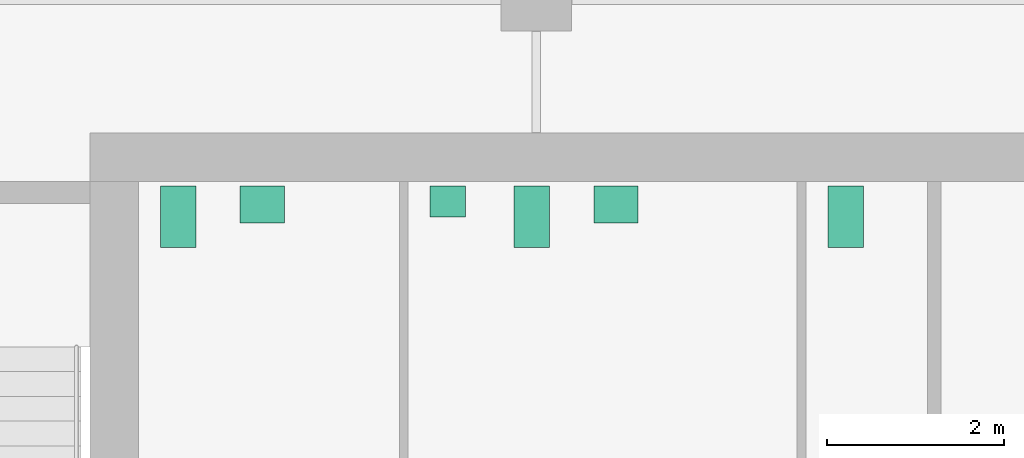
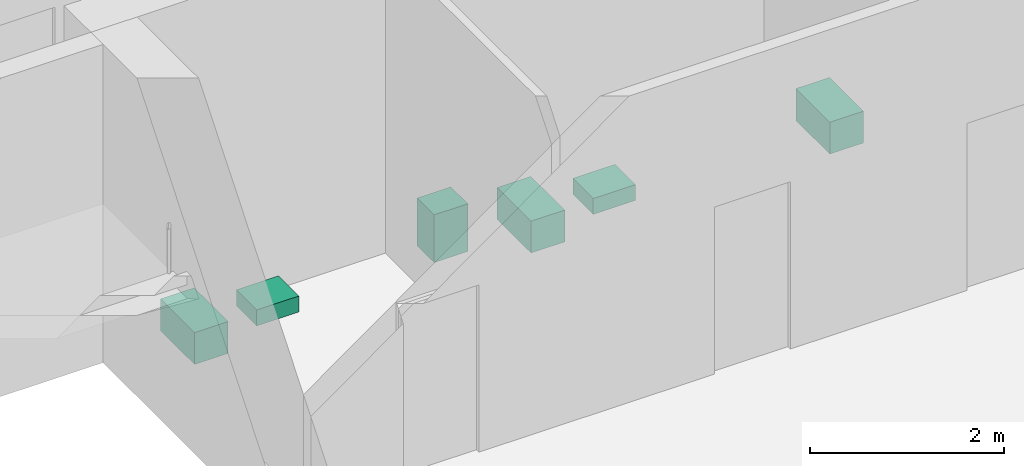
# One storey, part 8 of 8: 6 sanitary terminals.
"""IFC4 building model written with IfcOpenShell, lengths in metres."""

from ifc_helpers import new_model, si_unit, direction, frame, origin, origin_2d, place, context, subcontext, project, spatial, rectangle, extrude, material, type_object, element, save


model = new_model("IFC4")

# Units and contexts
model_context = context("Model", 3, precision=1e-05, world=origin(), true_north=direction((0.0, 1.0)))
body_context = subcontext(model_context, "Body", "Model", "MODEL_VIEW")
ifc_project = project(units=[si_unit("LENGTHUNIT", "METRE"), si_unit("AREAUNIT", "SQUARE_METRE"), si_unit("VOLUMEUNIT", "CUBIC_METRE"), si_unit("PLANEANGLEUNIT", "RADIAN"), si_unit("MASSUNIT", "GRAM", prefix="KILO")], contexts=[model_context])

# Site, building, storey
site_placement = place(None, origin())
site = spatial("IfcSite", under=ifc_project, at=site_placement, CompositionType="ELEMENT")
building_placement = place(site_placement, origin())
building = spatial("IfcBuilding", under=site, at=building_placement, Name="Cinnabar Reach Civic Tower", CompositionType="ELEMENT")
storey_placement = place(building_placement, frame((0.0, 0.0, 202.0)))
storey = spatial("IfcBuildingStorey", under=building, at=storey_placement, Name="L48", CompositionType="ELEMENT", Elevation=202.0)

# Sanitary terminals
ifc_material = material(Name="Vitreous china")
sanitary_terminal_type_1 = type_object("IfcSanitaryTerminalType", Name="T1 WC pan", PredefinedType="TOILETPAN", material=ifc_material)
for number, where, z_axis, x_axis, name in (
    (1, (4.95, 41.6, 0.0), (0.0, 0.0, 1.0), (1.0, 0.0, 0.0), "T1 WC pan 4808-1"),
    (2, (8.95, 41.6, 0.0), (0.0, 0.0, 1.0), (1.0, 0.0, 0.0), "T1 WC pan 4809-2"),
    (3, (12.5, 41.6, 0.0), (0.0, 0.0, 1.0), (1.0, 0.0, 0.0), "T1 WC pan 4810-1"),
):
    element("IfcSanitaryTerminal", number, at=place(storey_placement, frame(where, z_axis=z_axis, x_axis=x_axis)), inside=storey, type_object=sanitary_terminal_type_1, Name=name, PredefinedType="TOILETPAN", context=body_context, shape_type="SweptSolid", body=[
        extrude(rectangle(XDim=0.4, YDim=0.7, at=origin_2d()), origin(), (0.0, 0.0, 1.0), 0.4),
    ])
sanitary_terminal_type_2 = type_object("IfcSanitaryTerminalType", Name="T1 urinal", PredefinedType="URINAL", material=ifc_material)
sanitary_terminal_placement = place(storey_placement, frame((8.0, 41.775, 0.0), z_axis=(0.0, 0.0, 1.0), x_axis=(1.0, 0.0, 0.0)))
element("IfcSanitaryTerminal", 4, at=sanitary_terminal_placement, inside=storey, type_object=sanitary_terminal_type_2, Name="T1 urinal 4809-1", PredefinedType="URINAL", context=body_context, shape_type="SweptSolid", body=[
    extrude(rectangle(XDim=0.4, YDim=0.35, at=origin_2d()), origin(), (0.0, 0.0, 1.0), 0.6),
])
sanitary_terminal_type_3 = type_object("IfcSanitaryTerminalType", Name="T1 wash basin", PredefinedType="WASHHANDBASIN", material=ifc_material)
for number, where, z_axis, x_axis, name in (
    (5, (5.9, 41.74, 0.0), (0.0, 0.0, 1.0), (1.0, 0.0, 0.0), "T1 wash basin 4808-2"),
    (6, (9.9, 41.74, 0.0), (0.0, 0.0, 1.0), (1.0, 0.0, 0.0), "T1 wash basin 4809-3"),
):
    element("IfcSanitaryTerminal", number, at=place(storey_placement, frame(where, z_axis=z_axis, x_axis=x_axis)), inside=storey, type_object=sanitary_terminal_type_3, Name=name, PredefinedType="WASHHANDBASIN", context=body_context, shape_type="SweptSolid", body=[
        extrude(rectangle(XDim=0.5, YDim=0.42, at=origin_2d()), origin(), (0.0, 0.0, 1.0), 0.2),
    ])

save(model, "model.ifc")
